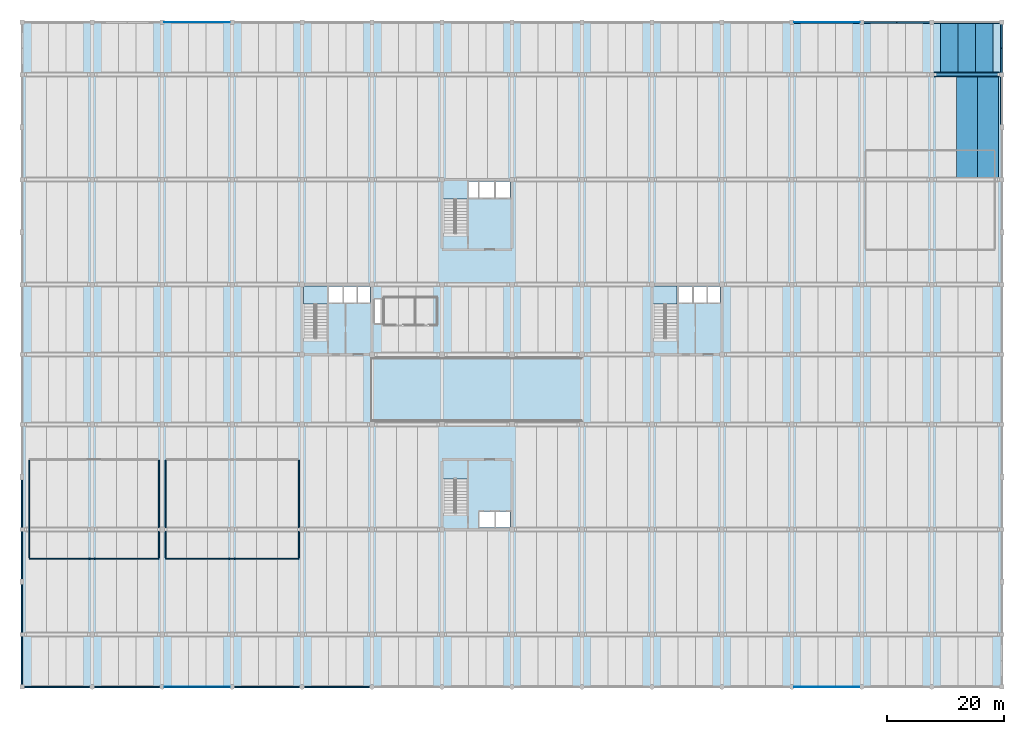
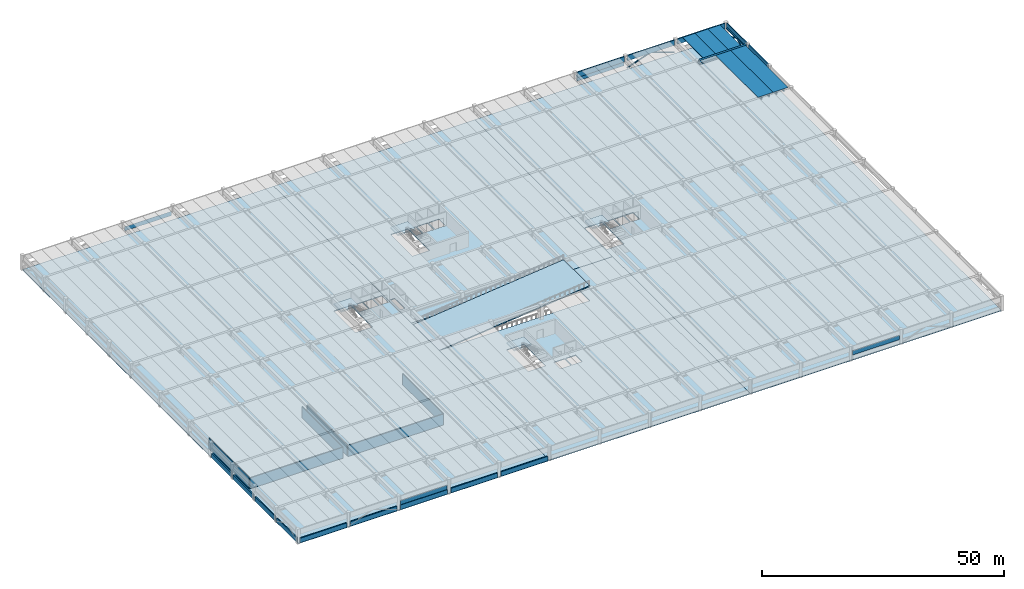
# One storey, part 7 of 21: 15 walls, 11 beams, 9 slabs, 4 members, 4 plates, 4 elements without a shape of their own.
"""IFC4 building model written with IfcOpenShell, lengths in metres."""

import ifcopenshell
import ifcopenshell.guid

model = None  # the IFC model being written
_history = None  # IfcOwnerHistory: only IFC2X3 demands one
_inside = {}  # id of a spatial element -> (the spatial element, [elements in it])
_under = {}  # id of a project, library or spatial element -> (it, [spatial elements below it])
_declared = {}  # id of a project -> (the project, [libraries it declares])
_typed = {}  # id of a type object -> (the type object, [elements of that type])
_made_of = {}  # id of a material, layer set ... -> (it, [elements and type objects made of it])


def new_model(schema):
    """Start an empty IFC model of exactly this schema.

    Asked for "IFC4X3", IfcOpenShell would pick the latest addendum, in which some entities
    have other attributes; the version numbers below select the first issue.
    IFC2X3 requires an IfcOwnerHistory on every rooted entity: one is made here for all.
    """
    global model, _history
    if schema == "IFC4X3":
        model = ifcopenshell.file(schema_version=(4, 3, 0, 0))
    else:
        model = ifcopenshell.file(schema=schema)
    _inside.clear()
    _under.clear()
    _declared.clear()
    _typed.clear()
    _made_of.clear()
    _history = None
    if model.schema == "IFC2X3":
        org = make("IfcOrganization", Name="unknown")
        user = make(
            "IfcPersonAndOrganization",
            ThePerson=make("IfcPerson", FamilyName="unknown"),
            TheOrganization=org,
        )
        app = make(
            "IfcApplication",
            ApplicationDeveloper=org,
            Version="unknown",
            ApplicationFullName="unknown",
            ApplicationIdentifier="unknown",
        )
        _history = make(
            "IfcOwnerHistory",
            OwningUser=user,
            OwningApplication=app,
            ChangeAction="ADDED",
            CreationDate=0,
        )
    return model


def make(cls, **values):
    """One entity of the class cls with the attributes given. An attribute that is None is left unset."""
    return model.create_entity(
        cls, **{name: value for name, value in values.items() if value is not None}
    )


def rooted(cls, **values):
    """An entity with a GlobalId (a new one), such as an element, a storey or a relation."""
    return make(cls, GlobalId=ifcopenshell.guid.new(), OwnerHistory=_history, **values)


def si_unit(unit_type, name, prefix=None):
    """IfcSIUnit, for example si_unit("LENGTHUNIT", "METRE", prefix="MILLI")."""
    return make("IfcSIUnit", UnitType=unit_type, Prefix=prefix, Name=name)


def assignment(units):
    """IfcUnitAssignment: the units of a project."""
    return None if units is None else make("IfcUnitAssignment", Units=units)


def point(xyz):
    """IfcCartesianPoint."""
    return None if xyz is None else make("IfcCartesianPoint", Coordinates=xyz)


def direction(xyz):
    """IfcDirection."""
    return None if xyz is None else make("IfcDirection", DirectionRatios=xyz)


def frame(location, z_axis=None, x_axis=None):
    """IfcAxis2Placement3D, a coordinate frame: its origin and axes. An axis left out is left unset."""
    return make(
        "IfcAxis2Placement3D",
        Location=point(location),
        Axis=direction(z_axis),
        RefDirection=direction(x_axis),
    )


def frame_2d(location, x_axis=None):
    """IfcAxis2Placement2D, a coordinate frame in the plane: its origin and x axis."""
    return make(
        "IfcAxis2Placement2D", Location=point(location), RefDirection=direction(x_axis)
    )


def origin():
    """The frame at (0, 0, 0) with its axes left unset."""
    return frame((0.0, 0.0, 0.0))


def origin_2d():
    """The frame at (0, 0) in the plane with its x axis left unset."""
    return frame_2d((0.0, 0.0))


def place(relative_to, where):
    """IfcLocalPlacement: puts the frame where relative to a parent placement (None: the world)."""
    return make(
        "IfcLocalPlacement", PlacementRelTo=relative_to, RelativePlacement=where
    )


def context(
    kind, dimensions, precision=None, world=None, true_north=None, identifier=None
):
    """IfcGeometricRepresentationContext, for example the 3D "Model" context."""
    return make(
        "IfcGeometricRepresentationContext",
        ContextIdentifier=identifier,
        ContextType=kind,
        CoordinateSpaceDimension=dimensions,
        Precision=precision,
        WorldCoordinateSystem=world,
        TrueNorth=true_north,
    )


def subcontext(parent, identifier, kind, view, scale=None):
    """IfcGeometricRepresentationSubContext, for example "Body" below "Model"."""
    return make(
        "IfcGeometricRepresentationSubContext",
        ContextIdentifier=identifier,
        ContextType=kind,
        ParentContext=parent,
        TargetScale=scale,
        TargetView=view,
    )


def project(units=None, contexts=None):
    """IfcProject with its units and contexts."""
    return rooted(
        "IfcProject",
        Name="project",
        RepresentationContexts=contexts,
        UnitsInContext=assignment(units),
    )


def spatial(cls, under=None, at=None, **own):
    """A site, building, storey or space (cls), placed at a placement, below another one or the project."""
    s = rooted(cls, ObjectPlacement=at, **own)
    if under is not None:
        _under.setdefault(under.id(), (under, []))[1].append(s)
    return s


def polyline(points):
    """IfcPolyline through the points."""
    return make("IfcPolyline", Points=[point(p) for p in points])


def profile(cls, at=None, kind="AREA", **sizes):
    """A parametric profile (cls). Its sizes go by their IFC names, for example OverallWidth=200.0."""
    return make(cls, ProfileType=kind, Position=at, **sizes)


def rectangle(**sizes):
    """IfcRectangleProfileDef."""
    return profile("IfcRectangleProfileDef", **sizes)


def hollow_rectangle(**sizes):
    """IfcRectangleHollowProfileDef."""
    return profile("IfcRectangleHollowProfileDef", **sizes)


def outline(outer, holes=None, kind="AREA"):
    """IfcArbitraryClosedProfileDef: a profile drawn as a closed curve; with holes, ...WithVoids."""
    if holes is None:
        return make("IfcArbitraryClosedProfileDef", ProfileType=kind, OuterCurve=outer)
    return make(
        "IfcArbitraryProfileDefWithVoids",
        ProfileType=kind,
        OuterCurve=outer,
        InnerCurves=holes,
    )


def extrude(swept, where, along, depth):
    """IfcExtrudedAreaSolid: the profile swept, set in the frame where, extruded along a direction by depth."""
    return make(
        "IfcExtrudedAreaSolid",
        SweptArea=swept,
        Position=where,
        ExtrudedDirection=direction(along),
        Depth=depth,
    )


def shape(context_of_items, identifier, shape_type, items):
    """IfcShapeRepresentation: the items that make up one representation, for example the "Body"."""
    return make(
        "IfcShapeRepresentation",
        ContextOfItems=context_of_items,
        RepresentationIdentifier=identifier,
        RepresentationType=shape_type,
        Items=items,
    )


def material(Name=None, Category=None):
    """IfcMaterial."""
    return make("IfcMaterial", Name=Name, Category=Category)


def layer(
    of_material, thickness, ventilated=None, Name=None, Category=None, Priority=None
):
    """IfcMaterialLayer: one layer of a wall or slab, of a material (None: an air gap)."""
    return make(
        "IfcMaterialLayer",
        Material=of_material,
        LayerThickness=thickness,
        IsVentilated=ventilated,
        Name=Name,
        Category=Category,
        Priority=Priority,
    )


def layer_set(layers, Name=None):
    """IfcMaterialLayerSet."""
    return make("IfcMaterialLayerSet", MaterialLayers=layers, LayerSetName=Name)


def material_profile(
    of_material, cross_section, Name=None, Category=None, Priority=None
):
    """IfcMaterialProfile: a cross section and its material."""
    return make(
        "IfcMaterialProfile",
        Name=Name,
        Material=of_material,
        Profile=cross_section,
        Priority=Priority,
        Category=Category,
    )


def profile_set(profiles, Name=None, composite=None):
    """IfcMaterialProfileSet."""
    return make(
        "IfcMaterialProfileSet",
        Name=Name,
        MaterialProfiles=profiles,
        CompositeProfile=composite,
    )


def made_of(thing, what):
    """Note that an element or type object is made of a material, layer set ...; save() writes the relation."""
    if what is not None:
        _made_of.setdefault(what.id(), (what, []))[1].append(thing)
    return thing


def type_object(cls, material=None, **own):
    """A type object (cls), such as IfcWallType, which elements share."""
    return made_of(rooted(cls, **own), material)


def element(
    cls,
    number,
    at=None,
    inside=None,
    cuts=None,
    type_object=None,
    material=None,
    context=None,
    identifier="Body",
    shape_type=None,
    held_by="IfcProductDefinitionShape",
    body=None,
    shapes=None,
    **own,
):
    """One element of the class cls, such as IfcWall. Its Tag is "e" and its number.

    at: its placement. inside: the storey or other place that contains it. cuts: it is an
    opening in that element (IfcRelVoidsElement). A single representation is given by context,
    identifier, shape_type and body (its items); several are given by shapes. held_by: the class
    of the entity that holds the representations. save() writes the other relations.
    """
    e = rooted(cls, Tag="e%d" % number, ObjectPlacement=at, **own)
    if body is not None:
        shapes = [shape(context, identifier, shape_type, body)]
    if shapes is not None:
        e.Representation = make(held_by, Representations=shapes)
    if inside is not None:
        _inside.setdefault(inside.id(), (inside, []))[1].append(e)
    if cuts is not None:
        rooted(
            "IfcRelVoidsElement", RelatingBuildingElement=cuts, RelatedOpeningElement=e
        )
    if type_object is not None:
        _typed.setdefault(type_object.id(), (type_object, []))[1].append(e)
    return made_of(e, material)


def aggregate(whole, parts):
    """IfcRelAggregates: a whole, such as a stair, and the parts it consists of."""
    return rooted("IfcRelAggregates", RelatingObject=whole, RelatedObjects=parts)


def save(model, path):
    """Write the relations noted so far, then the file.

    IfcRelAggregates (storeys below a building ...), IfcRelContainedInSpatialStructure (elements
    in a storey), IfcRelDefinesByType, IfcRelAssociatesMaterial and IfcRelDeclares: one each for
    every whole, place, type object, material and project.
    """
    for whole, parts in _under.values():
        aggregate(whole, parts)
    for where, things in _inside.values():
        rooted(
            "IfcRelContainedInSpatialStructure",
            RelatedElements=things,
            RelatingStructure=where,
        )
    for kind, things in _typed.values():
        rooted("IfcRelDefinesByType", RelatedObjects=things, RelatingType=kind)
    for what, things in _made_of.values():
        rooted("IfcRelAssociatesMaterial", RelatedObjects=things, RelatingMaterial=what)
    for by, libraries in _declared.values():
        rooted("IfcRelDeclares", RelatingContext=by, RelatedDefinitions=libraries)
    model.write(path)


model = new_model("IFC4")

# Units and contexts
model_context = context("Model", 3, precision=1e-05, world=origin(), true_north=direction((0.0, 1.0)))
body_context = subcontext(model_context, "Body", "Model", "MODEL_VIEW")
ifc_project = project(units=[si_unit("LENGTHUNIT", "METRE"), si_unit("AREAUNIT", "SQUARE_METRE"), si_unit("VOLUMEUNIT", "CUBIC_METRE"), si_unit("PLANEANGLEUNIT", "RADIAN"), si_unit("MASSUNIT", "GRAM", prefix="KILO")], contexts=[model_context])

# Site, building, storey
site_placement = place(None, origin())
site = spatial("IfcSite", under=ifc_project, at=site_placement, CompositionType="ELEMENT")
building_placement = place(site_placement, origin())
building = spatial("IfcBuilding", under=site, at=building_placement, Name="Girod Span Mobility Hub", CompositionType="ELEMENT")
storey_placement = place(building_placement, frame((0.0, 0.0, 17.199951171875)))
storey = spatial("IfcBuildingStorey", under=building, at=storey_placement, Name="L04", CompositionType="ELEMENT", Elevation=17.199951171875)

# Beams
ifc_material_1 = material(Name="Concrete C50/60", Category="concrete")
ifc_material_profile_1 = material_profile(ifc_material_1, outline(polyline([(-1.5, 0.300048828125), (-1.5, 0.2099609375), (-0.8349609375, 0.2099609375), (-0.8125, -0.300048828125), (-0.6875, -0.300048828125), (-0.6650390625, 0.2099609375), (0.6650390625, 0.2099609375), (0.6875, -0.300048828125), (0.8125, -0.300048828125), (0.8349609375, 0.2099609375), (1.5, 0.2099609375), (1.5, 0.300048828125), (-1.5, 0.300048828125)])), Name="DT-3000X600")
ifc_profile_set_1 = profile_set([ifc_material_profile_1], Name="Concrete C50/60")
beam_type_1 = type_object("IfcBeamType", Name="BM-DT-3000X600", PredefinedType="JOIST", material=ifc_profile_set_1)
for number, where, z_axis, x_axis, name in (
    (1, (159.0, 105.2470703125, 3.280029296875), (0.0, 1.0, 0.0), (-1.0, 0.0, 0.0), "Double-Tee Deck 14/H-1 L04"),
    (2, (162.0, 105.2470703125, 3.280029296875), (0.0, 1.0, 0.0), (-1.0, 0.0, 0.0), "Double-Tee Deck 14/H-2 L04"),
    (3, (165.0, 105.2470703125, 3.280029296875), (0.0, 1.0, 0.0), (-1.0, 0.0, 0.0), "Double-Tee Deck 14/H-3 L04"),
):
    element("IfcBeam", number, at=place(storey_placement, frame(where, z_axis=z_axis, x_axis=x_axis)), inside=storey, type_object=beam_type_1, Name=name, PredefinedType="JOIST", context=body_context, shape_type="SweptSolid", body=[
        extrude(outline(polyline([(-1.5, 0.300048828125), (-1.5, 0.2099609375), (-0.8349609375, 0.2099609375), (-0.8125, -0.300048828125), (-0.6875, -0.300048828125), (-0.6650390625, 0.2099609375), (0.6650390625, 0.2099609375), (0.6875, -0.300048828125), (0.8125, -0.300048828125), (0.8349609375, 0.2099609375), (1.5, 0.2099609375), (1.5, 0.300048828125), (-1.5, 0.300048828125)])), origin(), (0.0, 0.0, 1.0), 8.531005859375),
    ])
ifc_material_2 = material(Name="Concrete C50/60", Category="concrete")
ifc_material_profile_2 = material_profile(ifc_material_2, outline(polyline([(-1.800048828125, 0.425048828125), (-1.800048828125, 0.324951171875), (-1.0, 0.324951171875), (-0.969970703125, -0.425048828125), (-0.830078125, -0.425048828125), (-0.800048828125, 0.324951171875), (0.800048828125, 0.324951171875), (0.830078125, -0.425048828125), (0.969970703125, -0.425048828125), (1.0, 0.324951171875), (1.800048828125, 0.324951171875), (1.800048828125, 0.425048828125), (-1.800048828125, 0.425048828125)])), Name="DT-3600X850")
ifc_profile_set_2 = profile_set([ifc_material_profile_2], Name="Concrete C50/60")
beam_type_2 = type_object("IfcBeamType", Name="BM-DT-3600X850", PredefinedType="JOIST", material=ifc_profile_set_2)
for number, where, z_axis, x_axis, name in (
    (4, (162.0, 87.2470703125, 3.155029296875), (0.0, 1.0, 0.0), (-1.0, 0.0, 0.0), "Double-Tee Deck 14/G-2 L04"),
    (5, (165.60009765625, 87.2470703125, 3.155029296875), (0.0, 1.0, 0.0), (-1.0, 0.0, 0.0), "Double-Tee Deck 14/G-3 L04"),
):
    element("IfcBeam", number, at=place(storey_placement, frame(where, z_axis=z_axis, x_axis=x_axis)), inside=storey, type_object=beam_type_2, Name=name, PredefinedType="JOIST", context=body_context, shape_type="SweptSolid", body=[
        extrude(outline(polyline([(-1.800048828125, 0.425048828125), (-1.800048828125, 0.324951171875), (-1.0, 0.324951171875), (-0.969970703125, -0.425048828125), (-0.830078125, -0.425048828125), (-0.800048828125, 0.324951171875), (0.800048828125, 0.324951171875), (0.830078125, -0.425048828125), (0.969970703125, -0.425048828125), (1.0, 0.324951171875), (1.800048828125, 0.324951171875), (1.800048828125, 0.425048828125), (-1.800048828125, 0.425048828125)])), origin(), (0.0, 0.0, 1.0), 17.505859375),
    ])
ifc_material_3 = material(Name="Concrete C50/60", Category="concrete")
ifc_material_profile_3 = material_profile(ifc_material_3, outline(polyline([(-0.425048828125, -0.47509765625), (0.425048828125, -0.47509765625), (0.425048828125, -0.155029296875), (0.25, -0.155029296875), (0.25, 0.47509765625), (-0.25, 0.47509765625), (-0.25, -0.155029296875), (-0.425048828125, -0.155029296875), (-0.425048828125, -0.47509765625)])), Name="IT-850X950")
ifc_profile_set_3 = profile_set([ifc_material_profile_3], Name="Concrete C50/60")
beam_type_3 = type_object("IfcBeamType", Name="BM-IT-850X950", PredefinedType="T_BEAM", material=ifc_profile_set_3)
beam_1_placement = place(storey_placement, frame((156.39697265625, 105.0, 3.10498046875), z_axis=(1.0, 0.0, 0.0), x_axis=(0.0, 1.0, 0.0)))
element("IfcBeam", 6, at=beam_1_placement, inside=storey, type_object=beam_type_3, Name="Girder 14-15/H L04", PredefinedType="T_BEAM", context=body_context, shape_type="SweptSolid", body=[
    extrude(outline(polyline([(-0.425048828125, -0.47509765625), (0.425048828125, -0.47509765625), (0.425048828125, -0.155029296875), (0.25, -0.155029296875), (0.25, 0.47509765625), (-0.25, 0.47509765625), (-0.25, -0.155029296875), (-0.425048828125, -0.155029296875), (-0.425048828125, -0.47509765625)])), origin(), (0.0, 0.0, 1.0), 11.23095703125),
])
ifc_material_4 = material(Name="Concrete C40/50", Category="concrete")
ifc_material_profile_4 = material_profile(ifc_material_4, outline(polyline([(-0.22509765625, -0.675048828125), (0.22509765625, -0.675048828125), (0.22509765625, -0.324951171875), (0.02490234375, -0.324951171875), (0.02490234375, 0.675048828125), (-0.22509765625, 0.675048828125), (-0.22509765625, -0.675048828125)])), Name="SP-450X1350")
ifc_profile_set_4 = profile_set([ifc_material_profile_4], Name="Concrete C40/50")
beam_type_4 = type_object("IfcBeamType", Name="BM-SP-450X1350", PredefinedType="SPANDREL", material=ifc_profile_set_4)
for number, where, z_axis, x_axis, name in (
    (7, (132.3720703125, 114.0, 2.905029296875), (1.0, 0.0, 0.0), (0.0, 1.0, 0.0), "Girder 12-13/J L04"),
    (8, (144.3720703125, 114.0, 2.905029296875), (1.0, 0.0, 0.0), (0.0, 1.0, 0.0), "Girder 13-14/J L04"),
    (9, (156.3720703125, 114.0, 2.905029296875), (1.0, 0.0, 0.0), (0.0, 1.0, 0.0), "Girder 14-15/J L04"),
):
    element("IfcBeam", number, at=place(storey_placement, frame(where, z_axis=z_axis, x_axis=x_axis)), inside=storey, type_object=beam_type_4, Name=name, PredefinedType="SPANDREL", context=body_context, shape_type="SweptSolid", body=[
        extrude(outline(polyline([(-0.22509765625, -0.675048828125), (0.22509765625, -0.675048828125), (0.22509765625, -0.324951171875), (0.02490234375, -0.324951171875), (0.02490234375, 0.675048828125), (-0.22509765625, 0.675048828125), (-0.22509765625, -0.675048828125)])), origin(), (0.0, 0.0, 1.0), 11.255859375),
    ])
beam_2_placement = place(storey_placement, frame((168.0, 96.471923828125, 2.905029296875), z_axis=(0.0, 1.0, 0.0), x_axis=(-1.0, 0.0, 0.0)))
element("IfcBeam", 10, at=beam_2_placement, inside=storey, type_object=beam_type_4, Name="Perimeter Spandrel 15/G-N L04", PredefinedType="SPANDREL", context=body_context, shape_type="SweptSolid", body=[
    extrude(outline(polyline([(-0.22509765625, -0.675048828125), (0.22509765625, -0.675048828125), (0.22509765625, -0.324951171875), (0.02490234375, -0.324951171875), (0.02490234375, 0.675048828125), (-0.22509765625, 0.675048828125), (-0.22509765625, -0.675048828125)])), origin(), (0.0, 0.0, 1.0), 8.156005859375),
])
beam_3_placement = place(storey_placement, frame((168.0, 105.3720703125, 2.905029296875), z_axis=(0.0, 1.0, 0.0), x_axis=(-1.0, 0.0, 0.0)))
element("IfcBeam", 11, at=beam_3_placement, inside=storey, type_object=beam_type_4, Name="Tie Girder 15/H-J L04", PredefinedType="SPANDREL", context=body_context, shape_type="SweptSolid", body=[
    extrude(outline(polyline([(-0.22509765625, -0.675048828125), (0.22509765625, -0.675048828125), (0.22509765625, -0.324951171875), (0.02490234375, -0.324951171875), (0.02490234375, 0.675048828125), (-0.22509765625, 0.675048828125), (-0.22509765625, -0.675048828125)])), origin(), (0.0, 0.0, 1.0), 8.255859375),
])

# Members
ifc_material_5 = material(Name="Steel HSS A500 Grade C", Category="steel")
ifc_material_profile_5 = material_profile(ifc_material_5, hollow_rectangle(XDim=0.25390625, YDim=0.25390625, WallThickness=0.01171875, InnerFilletRadius=0.01171875, OuterFilletRadius=0.023681640625, at=origin_2d()), Name="HSS254X254X12.7")
ifc_profile_set_5 = profile_set([ifc_material_profile_5], Name="Steel HSS A500 Grade C")
member_type = type_object("IfcMemberType", Name="MB-BR-HSS254", PredefinedType="BRACE", material=ifc_profile_set_5)
for number, where, z_axis, x_axis, name in (
    (12, (144.35498046875, 114.0, 0.35009765625), (0.944679642364, 0.0, 0.327994471451), (0.0, 1.0, 0.0), "Perimeter Chevron Brace 13/J-L L04"),
    (13, (155.64501953125, 114.0, 0.35009765625), (-0.944679642364, 0.0, 0.327994471451), (0.0, -1.0, 0.0), "Perimeter Chevron Brace 13/J-R L04"),
):
    element("IfcMember", number, at=place(storey_placement, frame(where, z_axis=z_axis, x_axis=x_axis)), inside=storey, type_object=member_type, Name=name, PredefinedType="BRACE", context=body_context, shape_type="SweptSolid", body=[
        extrude(hollow_rectangle(XDim=0.25390625, YDim=0.25390625, WallThickness=0.01171875, InnerFilletRadius=0.01171875, OuterFilletRadius=0.023681640625, at=origin_2d()), origin(), (0.0, 0.0, 1.0), 5.9755859375),
    ])
for number, where, z_axis, x_axis, name in (
    (14, (168.0, 105.35498046875, 0.35009765625), (0.0, 0.904030366527, 0.427468240221), (-1.0, 0.0, 0.0), "Side Chevron Brace 15/H-S L04"),
    (15, (168.0, 113.64501953125, 0.35009765625), (0.0, -0.904030366527, 0.427468240221), (1.0, 0.0, 0.0), "Side Chevron Brace 15/H-N L04"),
):
    element("IfcMember", number, at=place(storey_placement, frame(where, z_axis=z_axis, x_axis=x_axis)), inside=storey, type_object=member_type, Name=name, PredefinedType="BRACE", context=body_context, shape_type="SweptSolid", body=[
        extrude(hollow_rectangle(XDim=0.25390625, YDim=0.25390625, WallThickness=0.01171875, InnerFilletRadius=0.01171875, OuterFilletRadius=0.023681640625, at=origin_2d()), origin(), (0.0, 0.0, 1.0), 4.5849609375),
    ])

# Plates
ifc_material_6 = material(Name="Perforated Powder-Coated Aluminium Sheet", Category="aluminium")
ifc_layer_1 = layer(ifc_material_6, 0.028076171875)
ifc_layer_set_1 = layer_set([ifc_layer_1], Name="Perforated Powder-Coated Aluminium Sheet")
plate_type_1 = type_object("IfcPlateType", Name="PLT-CLD-11154X1080X28", PredefinedType="USERDEFINED", material=ifc_layer_set_1)
for number, where, z_axis, x_axis, name in (
    (16, (30.0, 0.0, 1.14990234375), (0.0, 0.0, 1.0), (1.0, 0.0, 0.0), "Perforated Aluminium Cladding Panel S-3 L04"),
    (17, (138.0, 0.0, 1.14990234375), (0.0, 0.0, 1.0), (1.0, 0.0, 0.0), "Perforated Aluminium Cladding Panel S-12 L04"),
):
    element("IfcPlate", number, at=place(storey_placement, frame(where, z_axis=z_axis, x_axis=x_axis)), inside=storey, type_object=plate_type_1, Name=name, ObjectType="CLADDING", PredefinedType="USERDEFINED", context=body_context, shape_type="SweptSolid", body=[
        extrude(rectangle(XDim=11.154052734375, YDim=0.028076171875, at=origin_2d()), origin(), (0.0, 0.0, 1.0), 1.080078125),
    ])
ifc_material_7 = material(Name="Perforated Powder-Coated Aluminium Sheet", Category="aluminium")
ifc_layer_2 = layer(ifc_material_7, 0.028076171875)
ifc_layer_set_2 = layer_set([ifc_layer_2], Name="Perforated Powder-Coated Aluminium Sheet")
plate_type_2 = type_object("IfcPlateType", Name="PLT-CLD-11254X1080X28", PredefinedType="USERDEFINED", material=ifc_layer_set_2)
for number, where, z_axis, x_axis, name in (
    (18, (30.0, 114.0, 1.14990234375), (0.0, 0.0, 1.0), (1.0, 0.0, 0.0), "Perforated Aluminium Cladding Panel N-3 L04"),
    (19, (138.0, 114.0, 1.14990234375), (0.0, 0.0, 1.0), (1.0, 0.0, 0.0), "Perforated Aluminium Cladding Panel N-12 L04"),
):
    element("IfcPlate", number, at=place(storey_placement, frame(where, z_axis=z_axis, x_axis=x_axis)), inside=storey, type_object=plate_type_2, Name=name, ObjectType="CLADDING", PredefinedType="USERDEFINED", context=body_context, shape_type="SweptSolid", body=[
        extrude(rectangle(XDim=11.25390625, YDim=0.028076171875, at=origin_2d()), origin(), (0.0, 0.0, 1.0), 1.080078125),
    ])

# Slabs
ifc_material_8 = material(Name="Concrete C40/50", Category="concrete")
ifc_layer_3 = layer(ifc_material_8, 0.18505859375)
ifc_layer_set_3 = layer_set([ifc_layer_3], Name="Concrete C40/50")
slab_type_1 = type_object("IfcSlabType", Name="SL-FLR-185", PredefinedType="FLOOR", material=ifc_layer_set_3)
slab_1_placement = place(storey_placement, frame((0.0, 0.0, -0.18505859375)))
element("IfcSlab", 20, at=slab_1_placement, inside=storey, type_object=slab_type_1, Name="Floor Slab L04 Sector W", PredefinedType="FLOOR", context=body_context, shape_type="SweptSolid", body=[
    extrude(outline(polyline([(0.0, 114.0), (60.0, 114.0), (60.0, 56.39990234375), (60.0, 45.60009765625), (60.0, 0.0), (0.0, 0.0), (0.0, 114.0)]), holes=[polyline([(48.219970703125, 68.820068359375), (48.219970703125, 59.8349609375), (52.340087890625, 59.8349609375), (52.340087890625, 68.820068359375), (48.219970703125, 68.820068359375)]), polyline([(52.64990234375, 68.64990234375), (52.64990234375, 65.949951171875), (54.949951171875, 65.949951171875), (54.949951171875, 68.64990234375), (52.64990234375, 68.64990234375)]), polyline([(55.199951171875, 68.64990234375), (55.199951171875, 65.949951171875), (57.35009765625, 65.949951171875), (57.35009765625, 68.64990234375), (55.199951171875, 68.64990234375)]), polyline([(57.60009765625, 68.64990234375), (57.60009765625, 65.949951171875), (59.64990234375, 65.949951171875), (59.64990234375, 68.64990234375), (57.60009765625, 68.64990234375)])]), origin(), (0.0, 0.0, 1.0), 0.18505859375),
])
slab_2_placement = place(storey_placement, frame((0.0, 0.0, -0.18505859375)))
element("IfcSlab", 21, at=slab_2_placement, inside=storey, type_object=slab_type_1, Name="Floor Slab L04 Sector CS", PredefinedType="FLOOR", context=body_context, shape_type="SweptSolid", body=[
    extrude(outline(polyline([(60.0, 0.0), (60.0, 45.60009765625), (96.0, 45.60009765625), (96.0, 56.39990234375), (60.0, 56.39990234375), (60.0, 57.0), (108.0, 57.0), (108.0, 0.0), (60.0, 0.0)]), holes=[polyline([(72.219970703125, 38.820068359375), (72.219970703125, 29.8349609375), (76.340087890625, 29.8349609375), (76.340087890625, 38.820068359375), (72.219970703125, 38.820068359375)]), polyline([(78.449951171875, 30.050048828125), (78.449951171875, 27.35009765625), (81.0, 27.35009765625), (81.0, 30.050048828125), (78.449951171875, 30.050048828125)]), polyline([(81.25, 30.050048828125), (81.25, 27.35009765625), (83.64990234375, 27.35009765625), (83.64990234375, 30.050048828125), (81.25, 30.050048828125)])]), origin(), (0.0, 0.0, 1.0), 0.18505859375),
])
slab_3_placement = place(storey_placement, frame((0.0, 0.0, -0.18505859375)))
element("IfcSlab", 22, at=slab_3_placement, inside=storey, type_object=slab_type_1, Name="Floor Slab L04 Sector CN", PredefinedType="FLOOR", context=body_context, shape_type="SweptSolid", body=[
    extrude(outline(polyline([(108.0, 114.0), (108.0, 57.0), (60.0, 57.0), (60.0, 114.0), (108.0, 114.0)]), holes=[polyline([(60.449951171875, 66.449951171875), (60.449951171875, 62.35009765625), (61.47998046875, 62.35009765625), (61.47998046875, 66.449951171875), (60.449951171875, 66.449951171875)]), polyline([(72.219970703125, 86.820068359375), (72.219970703125, 77.8349609375), (76.340087890625, 77.8349609375), (76.340087890625, 86.820068359375), (72.219970703125, 86.820068359375)]), polyline([(76.64990234375, 86.64990234375), (76.64990234375, 83.949951171875), (78.14990234375, 83.949951171875), (78.14990234375, 86.64990234375), (76.64990234375, 86.64990234375)]), polyline([(80.949951171875, 86.64990234375), (78.39990234375, 86.64990234375), (78.39990234375, 83.949951171875), (80.949951171875, 83.949951171875), (80.949951171875, 86.64990234375)]), polyline([(83.64990234375, 86.64990234375), (81.199951171875, 86.64990234375), (81.199951171875, 83.949951171875), (83.64990234375, 83.949951171875), (83.64990234375, 86.64990234375)])]), origin(), (0.0, 0.0, 1.0), 0.18505859375),
])
slab_4_placement = place(storey_placement, frame((0.0, 0.0, -0.18505859375)))
element("IfcSlab", 23, at=slab_4_placement, inside=storey, type_object=slab_type_1, Name="Floor Slab L04 Sector E", PredefinedType="FLOOR", context=body_context, shape_type="SweptSolid", body=[
    extrude(outline(polyline([(168.0, 114.0), (168.0, 0.0), (108.0, 0.0), (108.0, 114.0), (168.0, 114.0)]), holes=[polyline([(108.219970703125, 68.820068359375), (108.219970703125, 59.8349609375), (112.340087890625, 59.8349609375), (112.340087890625, 68.820068359375), (108.219970703125, 68.820068359375)]), polyline([(112.64990234375, 68.64990234375), (112.64990234375, 65.949951171875), (114.949951171875, 65.949951171875), (114.949951171875, 68.64990234375), (112.64990234375, 68.64990234375)]), polyline([(115.199951171875, 68.64990234375), (115.199951171875, 65.949951171875), (117.35009765625, 65.949951171875), (117.35009765625, 68.64990234375), (115.199951171875, 68.64990234375)]), polyline([(117.60009765625, 68.64990234375), (117.60009765625, 65.949951171875), (119.64990234375, 65.949951171875), (119.64990234375, 68.64990234375), (117.60009765625, 68.64990234375)])]), origin(), (0.0, 0.0, 1.0), 0.18505859375),
])

# Stair, slab
ifc_material_9 = material(Name="Concrete C40/50", Category="concrete")
stair_type = type_object("IfcStairType", Name="STR-3800-W1860", PredefinedType="HALF_TURN_STAIR", material=ifc_material_9)
stair_1_placement = place(storey_placement, origin())
stair_1 = element("IfcStair", 24, at=stair_1_placement, inside=storey, type_object=stair_type, Name="Exit Stair ST-1 L04", PredefinedType="HALF_TURN_STAIR")
ifc_material_10 = material(Name="Concrete C40/50", Category="concrete")
ifc_layer_4 = layer(ifc_material_10, 0.3798828125)
ifc_layer_set_4 = layer_set([ifc_layer_4], Name="Concrete C40/50")
slab_type_2 = type_object("IfcSlabType", Name="SL-LND-380", PredefinedType="LANDING", material=ifc_layer_set_4)
slab_5_placement = place(storey_placement, frame((0.0, 0.0, 1.52001953125)))
slab_5 = element("IfcSlab", 25, at=slab_5_placement, type_object=slab_type_2, Name="Stair ST-1 Half-Landing L04", PredefinedType="LANDING", context=body_context, shape_type="SweptSolid", body=[
    extrude(outline(polyline([(52.3349609375, 65.68603515625), (52.3349609375, 68.784912109375), (48.215087890625, 68.784912109375), (48.215087890625, 65.68603515625), (52.3349609375, 65.68603515625)])), origin(), (0.0, 0.0, 1.0), 0.380126953125),
])
aggregate(stair_1, [slab_5])

stair_2_placement = place(storey_placement, origin())
stair_2 = element("IfcStair", 26, at=stair_2_placement, inside=storey, type_object=stair_type, Name="Exit Stair ST-2 L04", PredefinedType="HALF_TURN_STAIR")
slab_6_placement = place(storey_placement, frame((0.0, 0.0, 1.52001953125)))
slab_6 = element("IfcSlab", 27, at=slab_6_placement, type_object=slab_type_2, Name="Stair ST-2 Half-Landing L04", PredefinedType="LANDING", context=body_context, shape_type="SweptSolid", body=[
    extrude(outline(polyline([(112.3349609375, 65.68603515625), (112.3349609375, 68.784912109375), (108.215087890625, 68.784912109375), (108.215087890625, 65.68603515625), (112.3349609375, 65.68603515625)])), origin(), (0.0, 0.0, 1.0), 0.380126953125),
])
aggregate(stair_2, [slab_6])

stair_3_placement = place(storey_placement, origin())
stair_3 = element("IfcStair", 28, at=stair_3_placement, inside=storey, type_object=stair_type, Name="Exit Stair ST-3 L04", PredefinedType="HALF_TURN_STAIR")
slab_7_placement = place(storey_placement, frame((0.0, 0.0, 1.52001953125)))
slab_7 = element("IfcSlab", 29, at=slab_7_placement, type_object=slab_type_2, Name="Stair ST-3 Half-Landing L04", PredefinedType="LANDING", context=body_context, shape_type="SweptSolid", body=[
    extrude(outline(polyline([(76.3349609375, 35.68603515625), (76.3349609375, 38.81005859375), (72.18994140625, 38.81005859375), (72.18994140625, 35.68603515625), (76.3349609375, 35.68603515625)])), origin(), (0.0, 0.0, 1.0), 0.380126953125),
])
aggregate(stair_3, [slab_7])

stair_4_placement = place(storey_placement, origin())
stair_4 = element("IfcStair", 30, at=stair_4_placement, inside=storey, type_object=stair_type, Name="Exit Stair ST-4 L04", PredefinedType="HALF_TURN_STAIR")
slab_8_placement = place(storey_placement, frame((0.0, 0.0, 1.52001953125)))
slab_8 = element("IfcSlab", 31, at=slab_8_placement, type_object=slab_type_2, Name="Stair ST-4 Half-Landing L04", PredefinedType="LANDING", context=body_context, shape_type="SweptSolid", body=[
    extrude(outline(polyline([(76.3349609375, 83.68603515625), (76.3349609375, 86.81005859375), (72.18994140625, 86.81005859375), (72.18994140625, 83.68603515625), (76.3349609375, 83.68603515625)])), origin(), (0.0, 0.0, 1.0), 0.380126953125),
])
aggregate(stair_4, [slab_8])

# Slab
ifc_material_11 = material(Name="Concrete C40/50", Category="concrete")
ifc_layer_5 = layer(ifc_material_11, 0.280029296875)
ifc_layer_set_5 = layer_set([ifc_layer_5], Name="Concrete C40/50")
slab_type_3 = type_object("IfcSlabType", Name="SL-RAMP-280", PredefinedType="USERDEFINED", material=ifc_layer_set_5)
slab_9_placement = place(storey_placement, frame((60.050048828125, 45.60009765625, 0.0), z_axis=(-0.105205145599, 0.0, 0.994450540419), x_axis=(0.994450540419, 0.0, 0.105205145599)))
element("IfcSlab", 32, at=slab_9_placement, inside=storey, type_object=slab_type_3, Name="Two-Way Express Vehicular Ramp L04 to L05", ObjectType="VEHICULAR RAMP", PredefinedType="USERDEFINED", context=body_context, shape_type="SweptSolid", body=[
    extrude(outline(polyline([(0.0, 0.0), (36.12037041064554, 0.0), (36.12037041064554, 10.7998046875), (0.0, 10.7998046875), (0.0, 0.0)])), origin(), (0.0, 0.0, -1.0), 0.280029296875),
])

# Walls
ifc_material_12 = material(Name="Reinforced Concrete Masonry Block", Category="masonry")
ifc_layer_6 = layer(ifc_material_12, 0.179931640625)
ifc_layer_set_6 = layer_set([ifc_layer_6], Name="Reinforced Concrete Masonry Block")
wall_type_1 = type_object("IfcWallType", Name="W-FP-180", PredefinedType="SOLIDWALL", material=ifc_layer_set_6)
wall_1_placement = place(storey_placement, frame((1.199951171875, 22.0, 0.0), z_axis=(0.0, 0.0, 1.0), x_axis=(1.0, 0.0, 0.0)))
element("IfcWall", 33, at=wall_1_placement, inside=storey, type_object=wall_type_1, Name="Substation Room West Partition S", PredefinedType="SOLIDWALL", context=body_context, shape_type="SweptSolid", body=[
    extrude(rectangle(XDim=22.199951171875, YDim=0.179931640625, at=frame_2d((11.10009765625, 0.0))), origin(), (0.0, 0.0, 1.0), 2.75),
])
for number, where, z_axis, x_axis, name in (
    (34, (1.199951171875, 22.159912109375, 0.0), (0.0, 0.0, 1.0), (0.0, 1.0, 0.0), "Substation Room West Partition W"),
    (35, (23.39990234375, 22.159912109375, 0.0), (0.0, 0.0, 1.0), (0.0, 1.0, 0.0), "Substation Room West Partition E"),
):
    element("IfcWall", number, at=place(storey_placement, frame(where, z_axis=z_axis, x_axis=x_axis)), inside=storey, type_object=wall_type_1, Name=name, PredefinedType="SOLIDWALL", context=body_context, shape_type="SweptSolid", body=[
        extrude(rectangle(XDim=16.68017578125, YDim=0.179931640625, at=frame_2d((8.340087890625, 0.0))), origin(), (0.0, 0.0, 1.0), 2.75),
    ])
wall_2_placement = place(storey_placement, frame((24.60009765625, 22.0, 0.0), z_axis=(0.0, 0.0, 1.0), x_axis=(1.0, 0.0, 0.0)))
element("IfcWall", 36, at=wall_2_placement, inside=storey, type_object=wall_type_1, Name="Switchgear Room Partition S", PredefinedType="SOLIDWALL", context=body_context, shape_type="SweptSolid", body=[
    extrude(rectangle(XDim=22.7998046875, YDim=0.179931640625, at=frame_2d((11.39990234375, 0.0))), origin(), (0.0, 0.0, 1.0), 2.75),
])
for number, where, z_axis, x_axis, name in (
    (37, (24.60009765625, 22.159912109375, 0.0), (0.0, 0.0, 1.0), (0.0, 1.0, 0.0), "Switchgear Room Partition W"),
    (38, (47.39990234375, 22.159912109375, 0.0), (0.0, 0.0, 1.0), (0.0, 1.0, 0.0), "Switchgear Room Partition E"),
):
    element("IfcWall", number, at=place(storey_placement, frame(where, z_axis=z_axis, x_axis=x_axis)), inside=storey, type_object=wall_type_1, Name=name, PredefinedType="SOLIDWALL", context=body_context, shape_type="SweptSolid", body=[
        extrude(rectangle(XDim=16.68017578125, YDim=0.179931640625, at=frame_2d((8.340087890625, 0.0))), origin(), (0.0, 0.0, 1.0), 2.75),
    ])
ifc_material_13 = material(Name="Precast Architectural Concrete C40/50", Category="concrete")
ifc_layer_7 = layer(ifc_material_13, 0.239990234375)
ifc_layer_set_7 = layer_set([ifc_layer_7], Name="Precast Architectural Concrete C40/50")
wall_type_2 = type_object("IfcWallType", Name="W-PAR-240", PredefinedType="PARAPET", material=ifc_layer_set_7)
wall_3_placement = place(storey_placement, frame((0.373046875, 0.0, 0.0), z_axis=(0.0, 0.0, 1.0), x_axis=(1.0, 0.0, 0.0)))
element("IfcWall", 39, at=wall_3_placement, inside=storey, type_object=wall_type_2, Name="Precast Parking Barrier Parapet S-1 L04", PredefinedType="PARAPET", context=body_context, shape_type="SweptSolid", body=[
    extrude(rectangle(XDim=11.203857421875, YDim=0.239990234375, at=frame_2d((5.60205078125, 0.0))), origin(), (0.0, 0.0, 1.0), 1.150146484375),
])
for number, where, z_axis, x_axis, name in (
    (40, (12.423095703125, 0.0, 0.0), (0.0, 0.0, 1.0), (1.0, 0.0, 0.0), "Precast Parking Barrier Parapet S-2 L04"),
    (41, (24.423095703125, 0.0, 0.0), (0.0, 0.0, 1.0), (1.0, 0.0, 0.0), "Precast Parking Barrier Parapet S-3 L04"),
    (42, (36.423095703125, 0.0, 0.0), (0.0, 0.0, 1.0), (1.0, 0.0, 0.0), "Precast Parking Barrier Parapet S-4 L04"),
    (43, (48.423095703125, 0.0, 0.0), (0.0, 0.0, 1.0), (1.0, 0.0, 0.0), "Precast Parking Barrier Parapet S-5 L04"),
):
    element("IfcWall", number, at=place(storey_placement, frame(where, z_axis=z_axis, x_axis=x_axis)), inside=storey, type_object=wall_type_2, Name=name, PredefinedType="PARAPET", context=body_context, shape_type="SweptSolid", body=[
        extrude(rectangle(XDim=11.15380859375, YDim=0.239990234375, at=frame_2d((5.576904296875, 0.0))), origin(), (0.0, 0.0, 1.0), 1.150146484375),
    ])
wall_4_placement = place(storey_placement, frame((0.0, 0.373046875, 0.0), z_axis=(0.0, 0.0, 1.0), x_axis=(0.0, 1.0, 0.0)))
element("IfcWall", 44, at=wall_4_placement, inside=storey, type_object=wall_type_2, Name="Precast Side Barrier Parapet W-A-1 L04", PredefinedType="PARAPET", context=body_context, shape_type="SweptSolid", body=[
    extrude(rectangle(XDim=8.25390625, YDim=0.239990234375, at=frame_2d((4.126953125, 0.0))), origin(), (0.0, 0.0, 1.0), 1.150146484375),
])
for number, where, z_axis, x_axis, name in (
    (45, (0.0, 9.373046875, 0.0), (0.0, 0.0, 1.0), (0.0, 1.0, 0.0), "Precast Side Barrier Parapet W-B-1 L04"),
    (46, (0.0, 18.472900390625, 0.0), (0.0, 0.0, 1.0), (0.0, 1.0, 0.0), "Precast Side Barrier Parapet W-B-2 L04"),
    (47, (0.0, 27.373046875, 0.0), (0.0, 0.0, 1.0), (0.0, 1.0, 0.0), "Precast Side Barrier Parapet W-C-1 L04"),
):
    element("IfcWall", number, at=place(storey_placement, frame(where, z_axis=z_axis, x_axis=x_axis)), inside=storey, type_object=wall_type_2, Name=name, PredefinedType="PARAPET", context=body_context, shape_type="SweptSolid", body=[
        extrude(rectangle(XDim=8.154052734375, YDim=0.239990234375, at=frame_2d((4.0771484375, 0.0))), origin(), (0.0, 0.0, 1.0), 1.150146484375),
    ])

save(model, "model.ifc")
